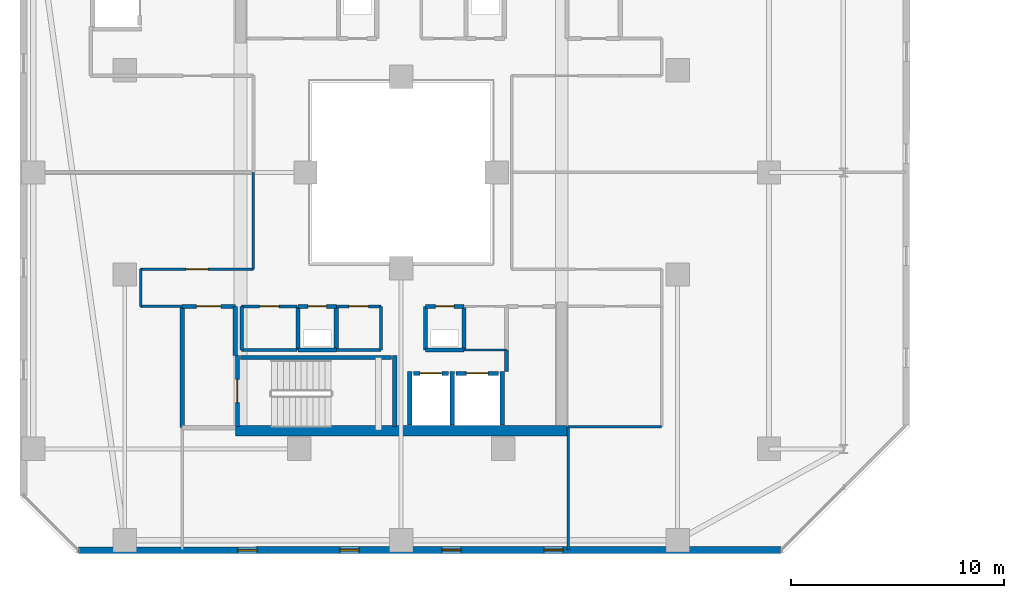
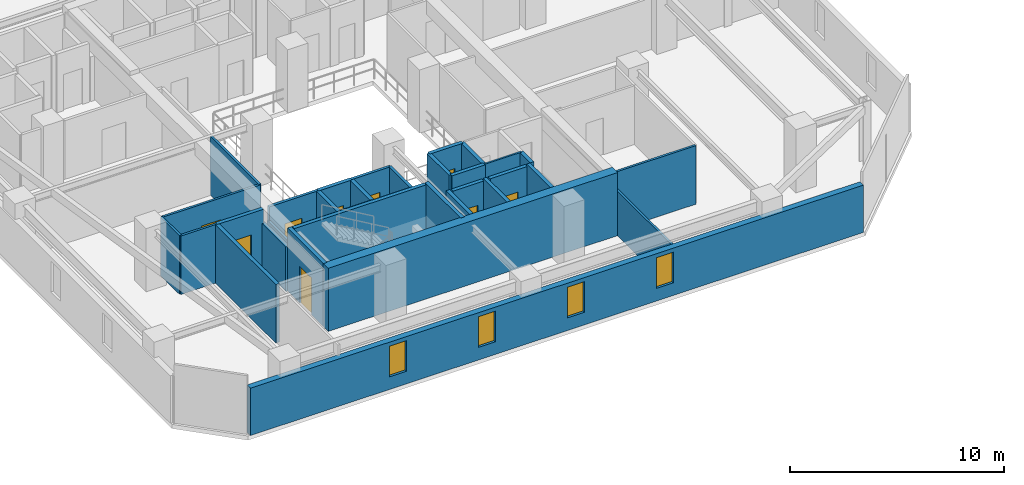
# One storey, part 19 of 32: 35 walls, 9 doors, 4 windows, 13 openings.
"""IFC4 building model written with IfcOpenShell, lengths in metres."""

from ifc_helpers import new_model, si_unit, direction, frame, frame_2d, origin, place, context, subcontext, project, spatial, rectangle, extrude, material, layer, layer_set, type_object, element, fill, save


model = new_model("IFC4")

# Units and contexts
model_context = context("Model", 3, precision=1e-05, world=origin(), true_north=direction((0.0, 1.0)))
body_context = subcontext(model_context, "Body", "Model", "MODEL_VIEW")
ifc_project = project(units=[si_unit("LENGTHUNIT", "METRE"), si_unit("AREAUNIT", "SQUARE_METRE"), si_unit("VOLUMEUNIT", "CUBIC_METRE"), si_unit("PLANEANGLEUNIT", "RADIAN"), si_unit("MASSUNIT", "GRAM", prefix="KILO")], contexts=[model_context])

# Site, building, storey
site_placement = place(None, origin())
site = spatial("IfcSite", under=ifc_project, at=site_placement, CompositionType="ELEMENT")
building_placement = place(site_placement, origin())
building = spatial("IfcBuilding", under=site, at=building_placement, Name="Thornwick Lancets Civic Towers", CompositionType="ELEMENT")
storey_placement = place(building_placement, frame((0.0, 0.0, 178.5)))
storey = spatial("IfcBuildingStorey", under=building, at=storey_placement, Name="L47", CompositionType="ELEMENT", Elevation=178.5)

# Wall, opening, door
ifc_material_1 = material(Name="Concrete blockwork C40/50", Category="masonry")
ifc_layer_1 = layer(ifc_material_1, 0.199951171875, Name="Concrete blockwork C40/50")
ifc_layer_set_1 = layer_set([ifc_layer_1], Name="Concrete blockwork C40/50")
wall_type_1 = type_object("IfcWallType", Name="WALL_COMP_200", PredefinedType="STANDARD", material=ifc_layer_set_1)
wall_1_placement = place(storey_placement, frame((26.080078125, 17.550048828125, 0.0), z_axis=(0.0, 0.0, 1.0), x_axis=(1.0, 0.0, 0.0)))
wall_1 = element("IfcWall", 1, at=wall_1_placement, inside=storey, type_object=wall_type_1, Name="L47 Hoistway Front Wall FL-A1", PredefinedType="STANDARD", context=body_context, shape_type="SweptSolid", body=[
    extrude(rectangle(XDim=1.639892578125, YDim=0.199951171875, at=frame_2d((0.81982421875, 0.0))), origin(), (0.0, 0.0, 1.0), 3.340087890625),
])
opening_1_placement = place(wall_1_placement, frame((0.31005859375, 0.0, 0.0)))
opening_1 = element("IfcOpeningElement", 2, at=opening_1_placement, cuts=wall_1, Name="Opening LD-FL-A1", PredefinedType="OPENING", context=body_context, shape_type="SweptSolid", body=[
    extrude(rectangle(XDim=1.02001953125, YDim=2.06005859375, at=frame_2d((0.510009765625, 1.030029296875))), frame((0.0, 0.10986328125, 0.0), z_axis=(0.0, -1.0, 0.0), x_axis=(1.0, 0.0, 0.0)), (0.0, 0.0, 1.0), 0.219970703125),
])
ifc_material_2 = material(Name="Brushed bronze stainless steel", Category="steel")
door_type_1 = type_object("IfcDoorType", Name="DOOR_LIFT_SLIDE", OperationType="SLIDING_TO_LEFT", PredefinedType="DOOR", material=ifc_material_2)
door_1_placement = place(opening_1_placement, origin())
door_1 = element("IfcDoor", 3, at=door_1_placement, inside=storey, type_object=door_type_1, Name="L47 Sliding Lift Landing Door LD-FL-A1", OperationType="SLIDING_TO_LEFT", OverallHeight=2.06005859375, OverallWidth=1.02001953125, PredefinedType="DOOR", context=body_context, shape_type="SweptSolid", body=[
    extrude(rectangle(XDim=1.02001953125, YDim=2.06005859375, at=frame_2d((0.510009765625, 1.030029296875))), frame((0.0, 0.02490234375, 0.0), z_axis=(0.0, -1.0, 0.0), x_axis=(1.0, 0.0, 0.0)), (0.0, 0.0, 1.0), 0.050048828125),
])
fill(opening_1, door_1)

wall_2_placement = place(storey_placement, frame((28.080078125, 17.550048828125, 0.0), z_axis=(0.0, 0.0, 1.0), x_axis=(1.0, 0.0, 0.0)))
wall_2 = element("IfcWall", 4, at=wall_2_placement, inside=storey, type_object=wall_type_1, Name="L47 Hoistway Front Wall PL-AH1", PredefinedType="STANDARD", context=body_context, shape_type="SweptSolid", body=[
    extrude(rectangle(XDim=1.989990234375, YDim=0.199951171875, at=frame_2d((0.9951171875, 0.0))), origin(), (0.0, 0.0, 1.0), 3.340087890625),
])
opening_2_placement = place(wall_2_placement, frame((0.485107421875, 0.0, 0.0)))
opening_2 = element("IfcOpeningElement", 5, at=opening_2_placement, cuts=wall_2, Name="Opening LD-PL-AH1", PredefinedType="OPENING", context=body_context, shape_type="SweptSolid", body=[
    extrude(rectangle(XDim=1.02001953125, YDim=2.06005859375, at=frame_2d((0.510009765625, 1.030029296875))), frame((0.0, 0.10986328125, 0.0), z_axis=(0.0, -1.0, 0.0), x_axis=(1.0, 0.0, 0.0)), (0.0, 0.0, 1.0), 0.219970703125),
])
door_2_placement = place(opening_2_placement, origin())
door_2 = element("IfcDoor", 6, at=door_2_placement, inside=storey, type_object=door_type_1, Name="L47 Sliding Lift Landing Door LD-PL-AH1", OperationType="SLIDING_TO_LEFT", OverallHeight=2.06005859375, OverallWidth=1.02001953125, PredefinedType="DOOR", context=body_context, shape_type="SweptSolid", body=[
    extrude(rectangle(XDim=1.02001953125, YDim=2.06005859375, at=frame_2d((0.510009765625, 1.030029296875))), frame((0.0, 0.02490234375, 0.0), z_axis=(0.0, -1.0, 0.0), x_axis=(1.0, 0.0, 0.0)), (0.0, 0.0, 1.0), 0.050048828125),
])
fill(opening_2, door_2)

# Walls
for number, where, z_axis, x_axis, name in (
    (7, (27.89990234375, 15.112060546875, 0.0), (0.0, 0.0, 1.0), (0.0, 1.0, 0.0), "L47 Hoistway Shaft Wall FL-A1 E"),
    (8, (25.89990234375, 15.112060546875, 0.0), (0.0, 0.0, 1.0), (0.0, 1.0, 0.0), "L47 Hoistway Shaft Wall FL-A1 W"),
    (9, (30.25, 15.112060546875, 0.0), (0.0, 0.0, 1.0), (0.0, 1.0, 0.0), "L47 Hoistway Shaft Wall PL-AH1 E"),
):
    element("IfcWall", number, at=place(storey_placement, frame(where, z_axis=z_axis, x_axis=x_axis)), inside=storey, type_object=wall_type_1, Name=name, PredefinedType="STANDARD", context=body_context, shape_type="SweptSolid", body=[
        extrude(rectangle(XDim=2.535888671875, YDim=0.199951171875, at=frame_2d((1.26806640625, 0.0))), origin(), (0.0, 0.0, 1.0), 3.340087890625),
    ])
wall_3_placement = place(storey_placement, frame((17.699951171875, 18.39990234375, 0.0), z_axis=(0.0, 0.0, 1.0), x_axis=(0.0, 1.0, 0.0)))
element("IfcWall", 10, at=wall_3_placement, inside=storey, type_object=wall_type_1, Name="L47 Partition L47-A-FFLOB1 E2", PredefinedType="STANDARD", context=body_context, shape_type="SweptSolid", body=[
    extrude(rectangle(XDim=2.300048828125, YDim=0.199951171875, at=frame_2d((1.14990234375, 0.0))), origin(), (0.0, 0.0, 1.0), 2.544921875),
])

# Wall, opening, door
wall_4_placement = place(storey_placement, frame((17.699951171875, 20.699951171875, 0.0), z_axis=(0.0, 0.0, 1.0), x_axis=(-1.0, 0.0, 0.0)))
wall_4 = element("IfcWall", 11, at=wall_4_placement, inside=storey, type_object=wall_type_1, Name="L47 Partition L47-A-FFLOB1 E3", PredefinedType="STANDARD", context=body_context, shape_type="SweptSolid", body=[
    extrude(rectangle(XDim=2.5, YDim=0.199951171875, at=frame_2d((1.25, 0.0))), origin(), (0.0, 0.0, 1.0), 3.340087890625),
])
opening_3_placement = place(wall_4_placement, frame((0.675048828125, 0.0, 0.0)))
opening_3 = element("IfcOpeningElement", 12, at=opening_3_placement, cuts=wall_4, Name="Opening D-L47-2087", PredefinedType="OPENING", context=body_context, shape_type="SweptSolid", body=[
    extrude(rectangle(XDim=1.14990234375, YDim=2.10009765625, at=frame_2d((0.574951171875, 1.050048828125))), frame((0.0, 0.10986328125, 0.0), z_axis=(0.0, -1.0, 0.0), x_axis=(1.0, 0.0, 0.0)), (0.0, 0.0, 1.0), 0.219970703125),
])
ifc_material_3 = material(Name="Glazed fire-resisting steel", Category="steel")
door_type_2 = type_object("IfcDoorType", Name="DOOR_LOBBY_FD60", OperationType="NOTDEFINED", PredefinedType="DOOR", material=ifc_material_3)
door_3_placement = place(opening_3_placement, origin())
door_3 = element("IfcDoor", 13, at=door_3_placement, inside=storey, type_object=door_type_2, Name="L47 South Firefighting Lobby 1 Door", OperationType="SINGLE_SWING_RIGHT", OverallHeight=2.10009765625, OverallWidth=1.14990234375, PredefinedType="DOOR", context=body_context, shape_type="SweptSolid", body=[
    extrude(rectangle(XDim=1.14990234375, YDim=2.10009765625, at=frame_2d((0.574951171875, 1.050048828125))), frame((0.0, 0.02490234375, 0.0), z_axis=(0.0, -1.0, 0.0), x_axis=(1.0, 0.0, 0.0)), (0.0, 0.0, 1.0), 0.050048828125),
])
fill(opening_3, door_3)

# Walls
wall_5_placement = place(storey_placement, frame((15.199951171875, 20.699951171875, 0.0), z_axis=(0.0, 0.0, 1.0), x_axis=(0.0, -1.0, 0.0)))
element("IfcWall", 14, at=wall_5_placement, inside=storey, type_object=wall_type_1, Name="L47 Partition L47-A-FFLOB1 E4", PredefinedType="STANDARD", context=body_context, shape_type="SweptSolid", body=[
    extrude(rectangle(XDim=5.699951171875, YDim=0.199951171875, at=frame_2d((2.85009765625, 0.0))), origin(), (0.0, 0.0, 1.0), 3.340087890625),
])
wall_6_placement = place(storey_placement, frame((26.64990234375, 18.64990234375, 0.0), z_axis=(0.0, 0.0, 1.0), x_axis=(1.0, 0.0, 0.0)))
element("IfcWall", 15, at=wall_6_placement, inside=storey, type_object=wall_type_1, Name="L47 Partition L47-A-DUCT1 E1", PredefinedType="STANDARD", context=body_context, shape_type="SweptSolid", body=[
    extrude(rectangle(XDim=1.800048828125, YDim=0.199951171875, at=frame_2d((0.89990234375, 0.0))), origin(), (0.0, 0.0, 1.0), 3.340087890625),
])
wall_7_placement = place(storey_placement, frame((28.449951171875, 18.64990234375, 0.0), z_axis=(0.0, 0.0, 1.0), x_axis=(0.0, 1.0, 0.0)))
element("IfcWall", 16, at=wall_7_placement, inside=storey, type_object=wall_type_1, Name="L47 Partition L47-A-DUCT1 E2", PredefinedType="STANDARD", context=body_context, shape_type="SweptSolid", body=[
    extrude(rectangle(XDim=2.050048828125, YDim=0.199951171875, at=frame_2d((1.02490234375, 0.0))), origin(), (0.0, 0.0, 1.0), 3.340087890625),
])

# Wall, opening, door
wall_8_placement = place(storey_placement, frame((28.449951171875, 20.699951171875, 0.0), z_axis=(0.0, 0.0, 1.0), x_axis=(-1.0, 0.0, 0.0)))
wall_8 = element("IfcWall", 17, at=wall_8_placement, inside=storey, type_object=wall_type_1, Name="L47 Partition L47-A-DUCT1 E3", PredefinedType="STANDARD", context=body_context, shape_type="SweptSolid", body=[
    extrude(rectangle(XDim=1.800048828125, YDim=0.199951171875, at=frame_2d((0.89990234375, 0.0))), origin(), (0.0, 0.0, 1.0), 3.340087890625),
])
opening_4_placement = place(wall_8_placement, frame((0.4599609375, 0.0, 0.0)))
opening_4 = element("IfcOpeningElement", 18, at=opening_4_placement, cuts=wall_8, Name="Opening D-L47-2089", PredefinedType="OPENING", context=body_context, shape_type="SweptSolid", body=[
    extrude(rectangle(XDim=0.8798828125, YDim=2.0400390625, at=frame_2d((0.43994140625, 1.02001953125))), frame((0.0, 0.10986328125, 0.0), z_axis=(0.0, -1.0, 0.0), x_axis=(1.0, 0.0, 0.0)), (0.0, 0.0, 1.0), 0.219970703125),
])
ifc_material_4 = material(Name="Steel riser access doorset", Category="steel")
door_type_3 = type_object("IfcDoorType", Name="DOOR_RISER_850", OperationType="NOTDEFINED", PredefinedType="DOOR", material=ifc_material_4)
door_4_placement = place(opening_4_placement, origin())
door_4 = element("IfcDoor", 19, at=door_4_placement, inside=storey, type_object=door_type_3, Name="L47 South Service Duct 1 Door", OperationType="SINGLE_SWING_RIGHT", OverallHeight=2.0400390625, OverallWidth=0.8798828125, PredefinedType="DOOR", context=body_context, shape_type="SweptSolid", body=[
    extrude(rectangle(XDim=0.8798828125, YDim=2.0400390625, at=frame_2d((0.43994140625, 1.02001953125))), frame((0.0, 0.02490234375, 0.0), z_axis=(0.0, -1.0, 0.0), x_axis=(1.0, 0.0, 0.0)), (0.0, 0.0, 1.0), 0.050048828125),
])
fill(opening_4, door_4)

# Walls
wall_9_placement = place(storey_placement, frame((26.64990234375, 20.699951171875, 0.0), z_axis=(0.0, 0.0, 1.0), x_axis=(0.0, -1.0, 0.0)))
element("IfcWall", 20, at=wall_9_placement, inside=storey, type_object=wall_type_1, Name="L47 Partition L47-A-DUCT1 E4", PredefinedType="STANDARD", context=body_context, shape_type="SweptSolid", body=[
    extrude(rectangle(XDim=2.050048828125, YDim=0.199951171875, at=frame_2d((1.02490234375, 0.0))), origin(), (0.0, 0.0, 1.0), 3.340087890625),
])
wall_10_placement = place(storey_placement, frame((20.64990234375, 18.64990234375, 0.0), z_axis=(0.0, 0.0, 1.0), x_axis=(1.0, 0.0, 0.0)))
element("IfcWall", 21, at=wall_10_placement, inside=storey, type_object=wall_type_1, Name="L47 Partition L47-A-RISER1 E1", PredefinedType="STANDARD", context=body_context, shape_type="SweptSolid", body=[
    extrude(rectangle(XDim=1.800048828125, YDim=0.199951171875, at=frame_2d((0.89990234375, 0.0))), origin(), (0.0, 0.0, 1.0), 3.340087890625),
])
wall_11_placement = place(storey_placement, frame((22.449951171875, 18.64990234375, 0.0), z_axis=(0.0, 0.0, 1.0), x_axis=(0.0, 1.0, 0.0)))
element("IfcWall", 22, at=wall_11_placement, inside=storey, type_object=wall_type_1, Name="L47 Partition L47-A-RISER1 E2", PredefinedType="STANDARD", context=body_context, shape_type="SweptSolid", body=[
    extrude(rectangle(XDim=2.050048828125, YDim=0.199951171875, at=frame_2d((1.02490234375, 0.0))), origin(), (0.0, 0.0, 1.0), 3.340087890625),
])

# Wall, opening, door
wall_12_placement = place(storey_placement, frame((22.449951171875, 20.699951171875, 0.0), z_axis=(0.0, 0.0, 1.0), x_axis=(-1.0, 0.0, 0.0)))
wall_12 = element("IfcWall", 23, at=wall_12_placement, inside=storey, type_object=wall_type_1, Name="L47 Partition L47-A-RISER1 E3", PredefinedType="STANDARD", context=body_context, shape_type="SweptSolid", body=[
    extrude(rectangle(XDim=1.800048828125, YDim=0.199951171875, at=frame_2d((0.89990234375, 0.0))), origin(), (0.0, 0.0, 1.0), 3.340087890625),
])
opening_5_placement = place(wall_12_placement, frame((0.4599609375, 0.0, 0.0)))
opening_5 = element("IfcOpeningElement", 24, at=opening_5_placement, cuts=wall_12, Name="Opening D-L47-2090", PredefinedType="OPENING", context=body_context, shape_type="SweptSolid", body=[
    extrude(rectangle(XDim=0.8798828125, YDim=2.0400390625, at=frame_2d((0.43994140625, 1.02001953125))), frame((0.0, 0.10986328125, 0.0), z_axis=(0.0, -1.0, 0.0), x_axis=(1.0, 0.0, 0.0)), (0.0, 0.0, 1.0), 0.219970703125),
])
door_5_placement = place(opening_5_placement, origin())
door_5 = element("IfcDoor", 25, at=door_5_placement, inside=storey, type_object=door_type_3, Name="L47 South Electrical Riser 1 Door", OperationType="SINGLE_SWING_LEFT", OverallHeight=2.0400390625, OverallWidth=0.8798828125, PredefinedType="DOOR", context=body_context, shape_type="SweptSolid", body=[
    extrude(rectangle(XDim=0.8798828125, YDim=2.0400390625, at=frame_2d((0.43994140625, 1.02001953125))), frame((0.0, 0.02490234375, 0.0), z_axis=(0.0, -1.0, 0.0), x_axis=(1.0, 0.0, 0.0)), (0.0, 0.0, 1.0), 0.050048828125),
])
fill(opening_5, door_5)

# Walls
wall_13_placement = place(storey_placement, frame((20.64990234375, 20.699951171875, 0.0), z_axis=(0.0, 0.0, 1.0), x_axis=(0.0, -1.0, 0.0)))
element("IfcWall", 26, at=wall_13_placement, inside=storey, type_object=wall_type_1, Name="L47 Partition L47-A-RISER1 E4", PredefinedType="STANDARD", context=body_context, shape_type="SweptSolid", body=[
    extrude(rectangle(XDim=2.050048828125, YDim=0.199951171875, at=frame_2d((1.02490234375, 0.0))), origin(), (0.0, 0.0, 1.0), 3.340087890625),
])
wall_14_placement = place(storey_placement, frame((30.449951171875, 17.64794921875, 0.0), z_axis=(0.0, 0.0, 1.0), x_axis=(0.0, 1.0, 0.0)))
element("IfcWall", 27, at=wall_14_placement, inside=storey, type_object=wall_type_1, Name="L47 Partition L47-A-ITR2 E3", PredefinedType="STANDARD", context=body_context, shape_type="SweptSolid", body=[
    extrude(rectangle(XDim=1.001953125, YDim=0.199951171875, at=frame_2d((0.5009765625, 0.0))), origin(), (0.0, 0.0, 1.0), 3.340087890625),
])
ifc_material_5 = material(Name="Concrete C50/60", Category="concrete")
ifc_layer_2 = layer(ifc_material_5, 0.5, Name="Concrete C50/60")
ifc_layer_set_2 = layer_set([ifc_layer_2], Name="Concrete C50/60")
wall_type_2 = type_object("IfcWallType", Name="WALL_CORE_500", PredefinedType="SHEAR", material=ifc_layer_set_2)
wall_15_placement = place(storey_placement, frame((17.699951171875, 14.85009765625, 0.0), z_axis=(0.0, 0.0, 1.0), x_axis=(1.0, 0.0, 0.0)))
element("IfcWall", 28, at=wall_15_placement, inside=storey, type_object=wall_type_2, Name="L47 Split Core A1 Shear Wall S", PredefinedType="SHEAR", context=body_context, shape_type="SweptSolid", body=[
    extrude(rectangle(XDim=15.60009765625, YDim=0.5, at=frame_2d((7.800048828125, 0.0))), origin(), (0.0, 0.0, 1.0), 3.60009765625),
])

# Wall, openings, windows
ifc_material_6 = material(Name="Insulated buff terracotta rainscreen on concrete C40/50", Category="masonry")
ifc_layer_3 = layer(ifc_material_6, 0.320068359375, Name="Insulated buff terracotta rainscreen on concrete C40/50")
ifc_layer_set_3 = layer_set([ifc_layer_3], Name="Insulated buff terracotta rainscreen on concrete C40/50")
wall_type_3 = type_object("IfcWallType", Name="WALL_EXT_TERRA_320", PredefinedType="STANDARD", material=ifc_layer_set_3)
wall_16_placement = place(storey_placement, frame((10.318603515625, 9.2353515625, 0.0), z_axis=(0.0, 0.0, 1.0), x_axis=(0.999999944762, 0.000332378036, 0.0)))
wall_16 = element("IfcWall", 29, at=wall_16_placement, inside=storey, type_object=wall_type_3, Name="L47 Tower A Terracotta Facade Wall E0", PredefinedType="STANDARD", context=body_context, shape_type="SweptSolid", body=[
    extrude(rectangle(XDim=33.0537109375, YDim=0.320068359375, at=frame_2d((16.52685546875, 0.0))), origin(), (0.0, 0.0, 1.0), 2.699951171875),
])
opening_6_placement = place(wall_16_placement, frame((7.5, 0.0, 0.719970703125)))
opening_6 = element("IfcOpeningElement", 30, at=opening_6_placement, cuts=wall_16, Name="Opening WL-01", PredefinedType="OPENING", context=body_context, shape_type="SweptSolid", body=[
    extrude(rectangle(XDim=0.89990234375, YDim=1.75, at=frame_2d((0.449951171875, 0.875))), frame((0.0, 0.169921875, 0.0), z_axis=(0.0, -1.0, 0.0), x_axis=(1.0, 0.0, 0.0)), (0.0, 0.0, 1.0), 0.340087890625),
])
opening_7_placement = place(wall_16_placement, frame((12.300048828125, 0.0, 0.719970703125)))
opening_7 = element("IfcOpeningElement", 31, at=opening_7_placement, cuts=wall_16, Name="Opening WL-01", PredefinedType="OPENING", context=body_context, shape_type="SweptSolid", body=[
    extrude(rectangle(XDim=0.89990234375, YDim=1.75, at=frame_2d((0.449951171875, 0.875))), frame((0.0, 0.169921875, 0.0), z_axis=(0.0, -1.0, 0.0), x_axis=(1.0, 0.0, 0.0)), (0.0, 0.0, 1.0), 0.340087890625),
])
opening_8_placement = place(wall_16_placement, frame((17.10009765625, 0.0, 0.719970703125)))
opening_8 = element("IfcOpeningElement", 32, at=opening_8_placement, cuts=wall_16, Name="Opening WL-01", PredefinedType="OPENING", context=body_context, shape_type="SweptSolid", body=[
    extrude(rectangle(XDim=0.89990234375, YDim=1.75, at=frame_2d((0.449951171875, 0.875))), frame((0.0, 0.169921875, 0.0), z_axis=(0.0, -1.0, 0.0), x_axis=(1.0, 0.0, 0.0)), (0.0, 0.0, 1.0), 0.340087890625),
])
opening_9_placement = place(wall_16_placement, frame((21.89990234375, 0.0, 0.719970703125)))
opening_9 = element("IfcOpeningElement", 33, at=opening_9_placement, cuts=wall_16, Name="Opening WL-01", PredefinedType="OPENING", context=body_context, shape_type="SweptSolid", body=[
    extrude(rectangle(XDim=0.89990234375, YDim=1.75, at=frame_2d((0.449951171875, 0.875))), frame((0.0, 0.169921875, 0.0), z_axis=(0.0, -1.0, 0.0), x_axis=(1.0, 0.0, 0.0)), (0.0, 0.0, 1.0), 0.340087890625),
])
ifc_material_7 = material(Name="Clear low-e double glazing in bronze frame", Category="glass")
window_type = type_object("IfcWindowType", Name="WIN_LANCET_900", PartitioningType="SINGLE_PANEL", PredefinedType="WINDOW", material=ifc_material_7)
window_1_placement = place(opening_6_placement, origin())
window_1 = element("IfcWindow", 34, at=window_1_placement, inside=storey, type_object=window_type, Name="L47 Tower A Staggered Lancet Window E0-1", OverallHeight=1.75, OverallWidth=0.89990234375, PartitioningType="SINGLE_PANEL", PredefinedType="WINDOW", context=body_context, shape_type="SweptSolid", body=[
    extrude(rectangle(XDim=0.89990234375, YDim=1.75, at=frame_2d((0.449951171875, 0.875))), frame((0.0, 0.030029296875, 0.0), z_axis=(0.0, -1.0, 0.0), x_axis=(1.0, 0.0, 0.0)), (0.0, 0.0, 1.0), 0.06005859375),
])
fill(opening_6, window_1)
window_2_placement = place(opening_7_placement, origin())
window_2 = element("IfcWindow", 35, at=window_2_placement, inside=storey, type_object=window_type, Name="L47 Tower A Staggered Lancet Window E0-2", OverallHeight=1.75, OverallWidth=0.89990234375, PartitioningType="SINGLE_PANEL", PredefinedType="WINDOW", context=body_context, shape_type="SweptSolid", body=[
    extrude(rectangle(XDim=0.89990234375, YDim=1.75, at=frame_2d((0.449951171875, 0.875))), frame((0.0, 0.030029296875, 0.0), z_axis=(0.0, -1.0, 0.0), x_axis=(1.0, 0.0, 0.0)), (0.0, 0.0, 1.0), 0.06005859375),
])
fill(opening_7, window_2)
window_3_placement = place(opening_8_placement, origin())
window_3 = element("IfcWindow", 36, at=window_3_placement, inside=storey, type_object=window_type, Name="L47 Tower A Staggered Lancet Window E0-3", OverallHeight=1.75, OverallWidth=0.89990234375, PartitioningType="SINGLE_PANEL", PredefinedType="WINDOW", context=body_context, shape_type="SweptSolid", body=[
    extrude(rectangle(XDim=0.89990234375, YDim=1.75, at=frame_2d((0.449951171875, 0.875))), frame((0.0, 0.030029296875, 0.0), z_axis=(0.0, -1.0, 0.0), x_axis=(1.0, 0.0, 0.0)), (0.0, 0.0, 1.0), 0.06005859375),
])
fill(opening_8, window_3)
window_4_placement = place(opening_9_placement, origin())
window_4 = element("IfcWindow", 37, at=window_4_placement, inside=storey, type_object=window_type, Name="L47 Tower A Staggered Lancet Window E0-4", OverallHeight=1.75, OverallWidth=0.89990234375, PartitioningType="SINGLE_PANEL", PredefinedType="WINDOW", context=body_context, shape_type="SweptSolid", body=[
    extrude(rectangle(XDim=0.89990234375, YDim=1.75, at=frame_2d((0.449951171875, 0.875))), frame((0.0, 0.030029296875, 0.0), z_axis=(0.0, -1.0, 0.0), x_axis=(1.0, 0.0, 0.0)), (0.0, 0.0, 1.0), 0.06005859375),
])
fill(opening_9, window_4)

# Walls
ifc_material_8 = material(Name="Lightweight cellular office partition")
ifc_layer_4 = layer(ifc_material_8, 0.10009765625, Name="Lightweight cellular office partition")
ifc_layer_set_4 = layer_set([ifc_layer_4], Name="Lightweight cellular office partition")
wall_type_4 = type_object("IfcWallType", Name="WALL_PART_100", PredefinedType="PARTITIONING", material=ifc_layer_set_4)
wall_17_placement = place(storey_placement, frame((30.449951171875, 18.64990234375, 0.0), z_axis=(0.0, 0.0, 1.0), x_axis=(-1.0, 0.0, 0.0)))
element("IfcWall", 38, at=wall_17_placement, inside=storey, type_object=wall_type_4, Name="L47 Partition L47-A-CLN E2", PredefinedType="PARTITIONING", context=body_context, shape_type="SweptSolid", body=[
    extrude(rectangle(XDim=2.0, YDim=0.10009765625, at=frame_2d((1.0, 0.0))), origin(), (0.0, 0.0, 1.0), 3.340087890625),
])
ifc_material_9 = material(Name="Acoustic gypsum board partition")
ifc_layer_5 = layer(ifc_material_9, 0.1201171875, Name="Acoustic gypsum board partition")
ifc_layer_set_5 = layer_set([ifc_layer_5], Name="Acoustic gypsum board partition")
wall_type_5 = type_object("IfcWallType", Name="WALL_PART_120", PredefinedType="PARTITIONING", material=ifc_layer_set_5)
wall_18_placement = place(storey_placement, frame((37.75, 15.050048828125, 0.0), z_axis=(0.0, 0.0, 1.0), x_axis=(-1.0, 0.0, 0.0)))
element("IfcWall", 39, at=wall_18_placement, inside=storey, type_object=wall_type_5, Name="L47 Partition L47-A-RECLAIM-L1 E1", PredefinedType="PARTITIONING", context=body_context, shape_type="SweptSolid", body=[
    extrude(rectangle(XDim=4.39990234375, YDim=0.1201171875, at=frame_2d((2.199951171875, 0.0))), origin(), (0.0, 0.0, 1.0), 3.340087890625),
])
wall_19_placement = place(storey_placement, frame((18.550048828125, 27.0, 0.0), z_axis=(0.0, 0.0, 1.0), x_axis=(0.0, -1.0, 0.0)))
element("IfcWall", 40, at=wall_19_placement, inside=storey, type_object=wall_type_5, Name="L47 Partition L47-A-W1 E3", PredefinedType="PARTITIONING", context=body_context, shape_type="SweptSolid", body=[
    extrude(rectangle(XDim=4.550048828125, YDim=0.1201171875, at=frame_2d((2.27490234375, 0.0))), origin(), (0.0, 0.0, 1.0), 3.340087890625),
])

# Wall, opening, door
wall_20_placement = place(storey_placement, frame((18.550048828125, 22.449951171875, 0.0), z_axis=(0.0, 0.0, 1.0), x_axis=(-1.0, 0.0, 0.0)))
wall_20 = element("IfcWall", 41, at=wall_20_placement, inside=storey, type_object=wall_type_5, Name="L47 Partition L47-A-W1 E4", PredefinedType="PARTITIONING", context=body_context, shape_type="SweptSolid", body=[
    extrude(rectangle(XDim=5.300048828125, YDim=0.1201171875, at=frame_2d((2.64990234375, 0.0))), origin(), (0.0, 0.0, 1.0), 3.340087890625),
])
opening_10_placement = place(wall_20_placement, frame((2.125, 0.0, 0.0)))
opening_10 = element("IfcOpeningElement", 42, at=opening_10_placement, cuts=wall_20, Name="Opening D-L47-2112", PredefinedType="OPENING", context=body_context, shape_type="SweptSolid", body=[
    extrude(rectangle(XDim=1.050048828125, YDim=2.10009765625, at=frame_2d((0.52490234375, 1.050048828125))), frame((0.0, 0.070068359375, 0.0), z_axis=(0.0, -1.0, 0.0), x_axis=(1.0, 0.0, 0.0)), (0.0, 0.0, 1.0), 0.14013671875),
])
ifc_material_10 = material(Name="Glazed European oak executive doorset")
door_type_4 = type_object("IfcDoorType", Name="DOOR_OFFICE_1050", OperationType="NOTDEFINED", PredefinedType="DOOR", material=ifc_material_10)
door_6_placement = place(opening_10_placement, origin())
door_6 = element("IfcDoor", 43, at=door_6_placement, inside=storey, type_object=door_type_4, Name="L47 Tower A Ministry Directorate Office W1 Door", OperationType="SINGLE_SWING_LEFT", OverallHeight=2.10009765625, OverallWidth=1.050048828125, PredefinedType="DOOR", context=body_context, shape_type="SweptSolid", body=[
    extrude(rectangle(XDim=1.050048828125, YDim=2.10009765625, at=frame_2d((0.52490234375, 1.050048828125))), frame((0.0, 0.02490234375, 0.0), z_axis=(0.0, -1.0, 0.0), x_axis=(1.0, 0.0, 0.0)), (0.0, 0.0, 1.0), 0.050048828125),
])
fill(opening_10, door_6)

# Walls
wall_21_placement = place(storey_placement, frame((13.25, 22.449951171875, 0.0), z_axis=(0.0, 0.0, 1.0), x_axis=(0.0, -1.0, 0.0)))
element("IfcWall", 44, at=wall_21_placement, inside=storey, type_object=wall_type_5, Name="L47 Partition L47-A-W1 E5", PredefinedType="PARTITIONING", context=body_context, shape_type="SweptSolid", body=[
    extrude(rectangle(XDim=1.75, YDim=0.1201171875, at=frame_2d((0.875, 0.0))), origin(), (0.0, 0.0, 1.0), 3.340087890625),
])
wall_22_placement = place(storey_placement, frame((13.25, 20.699951171875, 0.0), z_axis=(0.0, 0.0, 1.0), x_axis=(1.0, 0.0, 0.0)))
element("IfcWall", 45, at=wall_22_placement, inside=storey, type_object=wall_type_5, Name="L47 Partition L47-A-W1 E6", PredefinedType="PARTITIONING", context=body_context, shape_type="SweptSolid", body=[
    extrude(rectangle(XDim=1.949951171875, YDim=0.1201171875, at=frame_2d((0.97509765625, 0.0))), origin(), (0.0, 0.0, 1.0), 3.340087890625),
])
wall_23_placement = place(storey_placement, frame((33.35009765625, 9.280029296875, 0.0), z_axis=(0.0, 0.0, 1.0), x_axis=(0.0, 1.0, 0.0)))
element("IfcWall", 46, at=wall_23_placement, inside=storey, type_object=wall_type_5, Name="L47 Partition L47-A-E1 E10", PredefinedType="PARTITIONING", context=body_context, shape_type="SweptSolid", body=[
    extrude(rectangle(XDim=5.77001953125, YDim=0.1201171875, at=frame_2d((2.885009765625, 0.0))), origin(), (0.0, 0.0, 1.0), 2.544921875),
])
ifc_material_11 = material(Name="Twin-stud acoustic gypsum board")
ifc_layer_6 = layer(ifc_material_11, 0.14990234375, Name="Twin-stud acoustic gypsum board")
ifc_layer_set_6 = layer_set([ifc_layer_6], Name="Twin-stud acoustic gypsum board")
wall_type_6 = type_object("IfcWallType", Name="WALL_PART_150", PredefinedType="PARTITIONING", material=ifc_layer_set_6)
wall_24_placement = place(storey_placement, frame((18.0, 18.64990234375, 0.0), z_axis=(0.0, 0.0, 1.0), x_axis=(1.0, 0.0, 0.0)))
element("IfcWall", 47, at=wall_24_placement, inside=storey, type_object=wall_type_6, Name="L47 Partition L47-A-MWC E1", PredefinedType="PARTITIONING", context=body_context, shape_type="SweptSolid", body=[
    extrude(rectangle(XDim=2.60009765625, YDim=0.14990234375, at=frame_2d((1.300048828125, 0.0))), origin(), (0.0, 0.0, 1.0), 3.340087890625),
])

# Wall, opening, door
wall_25_placement = place(storey_placement, frame((20.60009765625, 20.699951171875, 0.0), z_axis=(0.0, 0.0, 1.0), x_axis=(-1.0, 0.0, 0.0)))
wall_25 = element("IfcWall", 48, at=wall_25_placement, inside=storey, type_object=wall_type_6, Name="L47 Partition L47-A-MWC E3", PredefinedType="PARTITIONING", context=body_context, shape_type="SweptSolid", body=[
    extrude(rectangle(XDim=2.60009765625, YDim=0.14990234375, at=frame_2d((1.300048828125, 0.0))), origin(), (0.0, 0.0, 1.0), 3.340087890625),
])
opening_11_placement = place(wall_25_placement, frame((0.840087890625, 0.0, 0.0)))
opening_11 = element("IfcOpeningElement", 49, at=opening_11_placement, cuts=wall_25, Name="Opening D-L47-2093", PredefinedType="OPENING", context=body_context, shape_type="SweptSolid", body=[
    extrude(rectangle(XDim=0.919921875, YDim=2.080078125, at=frame_2d((0.4599609375, 1.0400390625))), frame((0.0, 0.0849609375, 0.0), z_axis=(0.0, -1.0, 0.0), x_axis=(1.0, 0.0, 0.0)), (0.0, 0.0, 1.0), 0.169921875),
])
ifc_material_12 = material(Name="Moisture-resistant oak doorset")
door_type_5 = type_object("IfcDoorType", Name="DOOR_WC_900", OperationType="NOTDEFINED", PredefinedType="DOOR", material=ifc_material_12)
door_7_placement = place(opening_11_placement, origin())
door_7 = element("IfcDoor", 50, at=door_7_placement, inside=storey, type_object=door_type_5, Name="L47 Tower A Male WC Door", OperationType="SINGLE_SWING_RIGHT", OverallHeight=2.080078125, OverallWidth=0.919921875, PredefinedType="DOOR", context=body_context, shape_type="SweptSolid", body=[
    extrude(rectangle(XDim=0.919921875, YDim=2.080078125, at=frame_2d((0.4599609375, 1.0400390625))), frame((0.0, 0.02490234375, 0.0), z_axis=(0.0, -1.0, 0.0), x_axis=(1.0, 0.0, 0.0)), (0.0, 0.0, 1.0), 0.050048828125),
])
fill(opening_11, door_7)

# Walls
wall_26_placement = place(storey_placement, frame((18.0, 20.699951171875, 0.0), z_axis=(0.0, 0.0, 1.0), x_axis=(0.0, -1.0, 0.0)))
element("IfcWall", 51, at=wall_26_placement, inside=storey, type_object=wall_type_6, Name="L47 Partition L47-A-MWC E4", PredefinedType="PARTITIONING", context=body_context, shape_type="SweptSolid", body=[
    extrude(rectangle(XDim=2.050048828125, YDim=0.14990234375, at=frame_2d((1.02490234375, 0.0))), origin(), (0.0, 0.0, 1.0), 2.544921875),
])
wall_27_placement = place(storey_placement, frame((24.550048828125, 20.699951171875, 0.0), z_axis=(0.0, 0.0, 1.0), x_axis=(0.0, -1.0, 0.0)))
element("IfcWall", 52, at=wall_27_placement, inside=storey, type_object=wall_type_6, Name="L47 Partition L47-A-AWC E1", PredefinedType="PARTITIONING", context=body_context, shape_type="SweptSolid", body=[
    extrude(rectangle(XDim=2.050048828125, YDim=0.14990234375, at=frame_2d((1.02490234375, 0.0))), origin(), (0.0, 0.0, 1.0), 3.340087890625),
])
wall_28_placement = place(storey_placement, frame((24.550048828125, 18.64990234375, 0.0), z_axis=(0.0, 0.0, 1.0), x_axis=(-1.0, 0.0, 0.0)))
element("IfcWall", 53, at=wall_28_placement, inside=storey, type_object=wall_type_6, Name="L47 Partition L47-A-AWC E2", PredefinedType="PARTITIONING", context=body_context, shape_type="SweptSolid", body=[
    extrude(rectangle(XDim=2.10009765625, YDim=0.14990234375, at=frame_2d((1.050048828125, 0.0))), origin(), (0.0, 0.0, 1.0), 3.340087890625),
])

# Wall, opening, door
wall_29_placement = place(storey_placement, frame((22.449951171875, 20.699951171875, 0.0), z_axis=(0.0, 0.0, 1.0), x_axis=(1.0, 0.0, 0.0)))
wall_29 = element("IfcWall", 54, at=wall_29_placement, inside=storey, type_object=wall_type_6, Name="L47 Partition L47-A-AWC E4", PredefinedType="PARTITIONING", context=body_context, shape_type="SweptSolid", body=[
    extrude(rectangle(XDim=2.10009765625, YDim=0.14990234375, at=frame_2d((1.050048828125, 0.0))), origin(), (0.0, 0.0, 1.0), 3.340087890625),
])
opening_12_placement = place(wall_29_placement, frame((0.590087890625, 0.0, 0.0)))
opening_12 = element("IfcOpeningElement", 55, at=opening_12_placement, cuts=wall_29, Name="Opening D-L47-2094", PredefinedType="OPENING", context=body_context, shape_type="SweptSolid", body=[
    extrude(rectangle(XDim=0.919921875, YDim=2.080078125, at=frame_2d((0.4599609375, 1.0400390625))), frame((0.0, 0.0849609375, 0.0), z_axis=(0.0, -1.0, 0.0), x_axis=(1.0, 0.0, 0.0)), (0.0, 0.0, 1.0), 0.169921875),
])
door_8_placement = place(opening_12_placement, origin())
door_8 = element("IfcDoor", 56, at=door_8_placement, inside=storey, type_object=door_type_5, Name="L47 Tower A Accessible WC Door", OperationType="SINGLE_SWING_LEFT", OverallHeight=2.080078125, OverallWidth=0.919921875, PredefinedType="DOOR", context=body_context, shape_type="SweptSolid", body=[
    extrude(rectangle(XDim=0.919921875, YDim=2.080078125, at=frame_2d((0.4599609375, 1.0400390625))), frame((0.0, 0.02490234375, 0.0), z_axis=(0.0, -1.0, 0.0), x_axis=(1.0, 0.0, 0.0)), (0.0, 0.0, 1.0), 0.050048828125),
])
fill(opening_12, door_8)

ifc_material_13 = material(Name="Concrete C40/50", Category="concrete")
ifc_layer_7 = layer(ifc_material_13, 0.199951171875, Name="Concrete C40/50")
ifc_layer_set_7 = layer_set([ifc_layer_7], Name="Concrete C40/50")
wall_type_7 = type_object("IfcWallType", Name="WALL_SHAFT_200", PredefinedType="SHEAR", material=ifc_layer_set_7)
wall_30_placement = place(storey_placement, frame((17.800048828125, 15.050048828125, 0.0), z_axis=(0.0, 0.0, 1.0), x_axis=(0.0, 1.0, 0.0)))
wall_30 = element("IfcWall", 57, at=wall_30_placement, inside=storey, type_object=wall_type_7, Name="L47 ST-A1 Fire Stair Core Wall NEAR", PredefinedType="SHEAR", context=body_context, shape_type="SweptSolid", body=[
    extrude(rectangle(XDim=3.349853515625, YDim=0.199951171875, at=frame_2d((1.6748046875, 0.0))), origin(), (0.0, 0.0, 1.0), 3.60009765625),
])
opening_13_placement = place(wall_30_placement, frame((1.125, 0.0, 0.0)))
opening_13 = element("IfcOpeningElement", 58, at=opening_13_placement, cuts=wall_30, Name="Opening D-ST-A1-L47", PredefinedType="OPENING", context=body_context, shape_type="SweptSolid", body=[
    extrude(rectangle(XDim=1.10009765625, YDim=2.10009765625, at=frame_2d((0.550048828125, 1.050048828125))), frame((0.0, 0.10986328125, 0.0), z_axis=(0.0, -1.0, 0.0), x_axis=(1.0, 0.0, 0.0)), (0.0, 0.0, 1.0), 0.219970703125),
])
ifc_material_14 = material(Name="Fire-resisting steel and hardwood", Category="steel")
door_type_6 = type_object("IfcDoorType", Name="DOOR_STAIR_FD60", OperationType="NOTDEFINED", PredefinedType="DOOR", material=ifc_material_14)
door_9_placement = place(opening_13_placement, origin())
door_9 = element("IfcDoor", 59, at=door_9_placement, inside=storey, type_object=door_type_6, Name="L47 ST-A1 Exit Stair Door", OperationType="SINGLE_SWING_RIGHT", OverallHeight=2.10009765625, OverallWidth=1.10009765625, PredefinedType="DOOR", context=body_context, shape_type="SweptSolid", body=[
    extrude(rectangle(XDim=1.10009765625, YDim=2.10009765625, at=frame_2d((0.550048828125, 1.050048828125))), frame((0.0, 0.02490234375, 0.0), z_axis=(0.0, -1.0, 0.0), x_axis=(1.0, 0.0, 0.0)), (0.0, 0.0, 1.0), 0.050048828125),
])
fill(opening_13, door_9)

# Walls
wall_31_placement = place(storey_placement, frame((25.199951171875, 18.39990234375, 0.0), z_axis=(0.0, 0.0, 1.0), x_axis=(0.0, -1.0, 0.0)))
element("IfcWall", 60, at=wall_31_placement, inside=storey, type_object=wall_type_7, Name="L47 ST-A1 Fire Stair Core Wall FAR", PredefinedType="SHEAR", context=body_context, shape_type="SweptSolid", body=[
    extrude(rectangle(XDim=3.349853515625, YDim=0.199951171875, at=frame_2d((1.6748046875, 0.0))), origin(), (0.0, 0.0, 1.0), 3.60009765625),
])
wall_32_placement = place(storey_placement, frame((25.050048828125, 18.297119140625, 0.0), z_axis=(0.0, 0.0, 1.0), x_axis=(-1.0, 0.0, 0.0)))
element("IfcWall", 61, at=wall_32_placement, inside=storey, type_object=wall_type_7, Name="L47 ST-A1 Fire Stair Core Wall RIGHT", PredefinedType="SHEAR", context=body_context, shape_type="SweptSolid", body=[
    extrude(rectangle(XDim=7.10009765625, YDim=0.199951171875, at=frame_2d((3.550048828125, 0.0))), origin(), (0.0, 0.0, 1.0), 3.60009765625),
])

save(model, "model.ifc")
